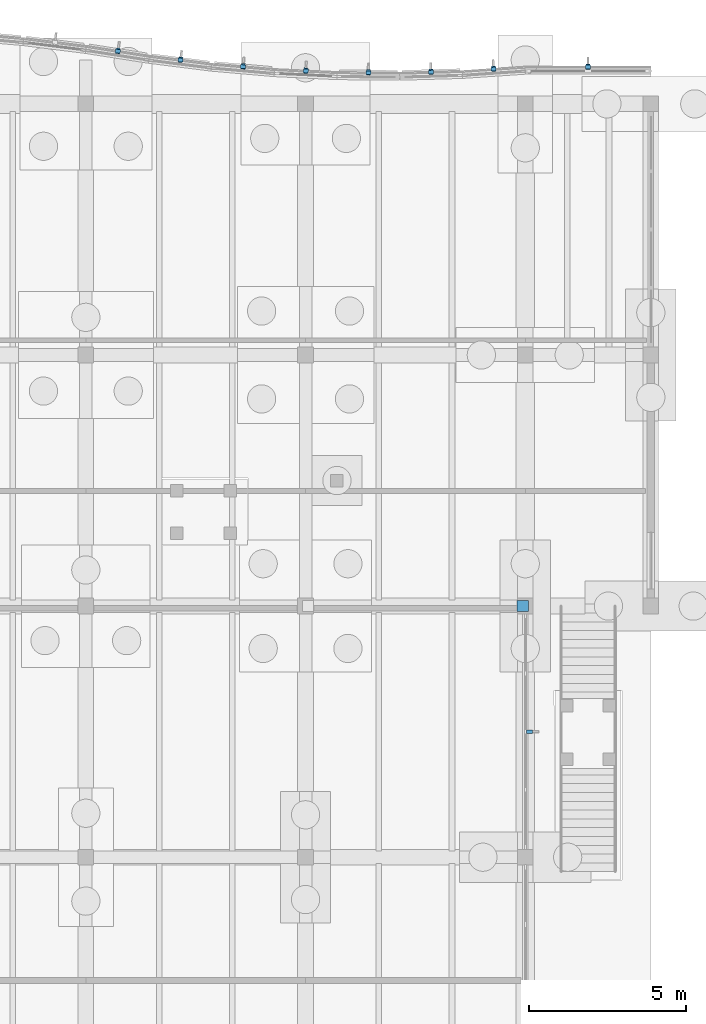
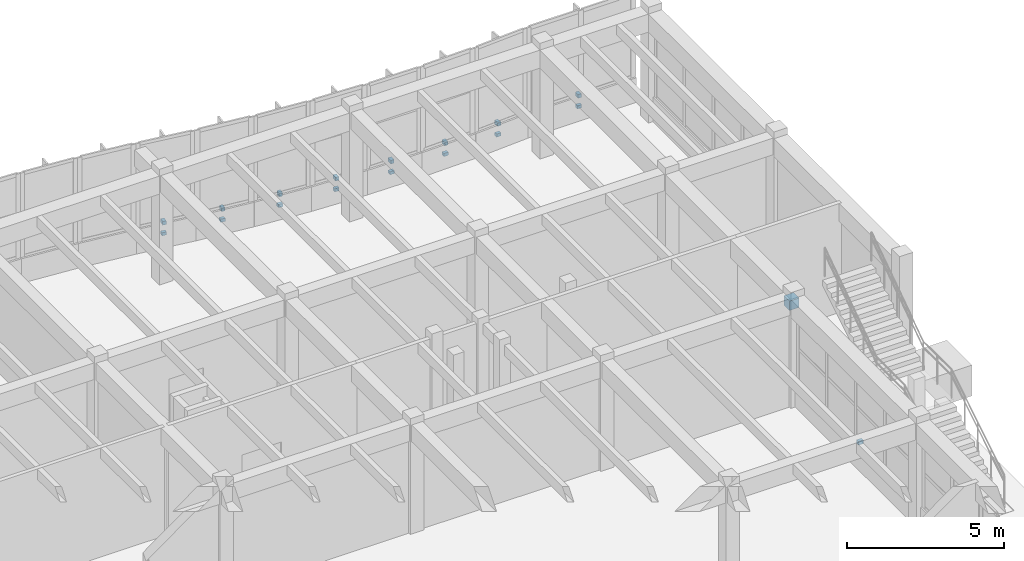
# One storey, part 85 of 99: 18 discrete accessories.
"""IFC4 building model written with IfcOpenShell, lengths in metres."""

from ifc_helpers import new_model, si_unit, direction, frame, origin, origin_2d, place, context, subcontext, project, spatial, rectangle, extrude, material, type_object, element, save


model = new_model("IFC4")

# Units and contexts
model_context = context("Model", 3, precision=1e-05, world=origin(), true_north=direction((0.0, 1.0)))
body_context = subcontext(model_context, "Body", "Model", "MODEL_VIEW")
ifc_project = project(units=[si_unit("LENGTHUNIT", "METRE"), si_unit("AREAUNIT", "SQUARE_METRE"), si_unit("VOLUMEUNIT", "CUBIC_METRE"), si_unit("PLANEANGLEUNIT", "RADIAN"), si_unit("MASSUNIT", "GRAM", prefix="KILO")], contexts=[model_context])

# Site, building, storey
site_placement = place(None, origin())
site = spatial("IfcSite", under=ifc_project, at=site_placement, CompositionType="ELEMENT")
building_placement = place(site_placement, origin())
building = spatial("IfcBuilding", under=site, at=building_placement, Name="Tonlespit Floodbar School", CompositionType="ELEMENT")
storey_placement = place(building_placement, origin())
storey = spatial("IfcBuildingStorey", under=building, at=storey_placement, Name="L00", CompositionType="ELEMENT", Elevation=0.0)

# Discrete accessories
ifc_material_1 = material(Name="Galvanised Steel", Category="steel")
discrete_accessory_type_1 = type_object("IfcDiscreteAccessoryType", Name="Bracket_Facade_S355", PredefinedType="BRACKET", material=ifc_material_1)
discrete_accessory_1_placement = place(storey_placement, frame((163.02001953125, 121.678466796875, 0.35498046875), z_axis=(0.0, 0.0, 1.0), x_axis=(0.988094768361, -0.153846445322, 0.0)))
element("IfcDiscreteAccessory", 1, at=discrete_accessory_1_placement, inside=storey, type_object=discrete_accessory_type_1, Name="L00 white band support bracket 0612", PredefinedType="BRACKET", context=body_context, shape_type="SweptSolid", body=[
    extrude(rectangle(XDim=0.159912109375, YDim=0.1201171875, at=origin_2d()), origin(), (0.0, 0.0, 1.0), 0.1201171875),
])
discrete_accessory_2_placement = place(storey_placement, frame((163.021484375, 121.688232421875, 0.7802734375), z_axis=(0.0, 0.0, 1.0), x_axis=(0.988094768361, -0.153846445322, 0.0)))
element("IfcDiscreteAccessory", 2, at=discrete_accessory_2_placement, inside=storey, type_object=discrete_accessory_type_1, Name="Solar fin support bracket 215", PredefinedType="BRACKET", context=body_context, shape_type="SweptSolid", body=[
    extrude(rectangle(XDim=0.1201171875, YDim=0.179931640625, at=origin_2d()), origin(), (0.0, 0.0, 1.0), 0.139892578125),
])
discrete_accessory_3_placement = place(storey_placement, frame((165.016357421875, 121.397216796875, 0.35498046875), z_axis=(0.0, 0.0, 1.0), x_axis=(0.99215533612, -0.125011155539, 0.0)))
element("IfcDiscreteAccessory", 3, at=discrete_accessory_3_placement, inside=storey, type_object=discrete_accessory_type_1, Name="L00 white band support bracket 0613", PredefinedType="BRACKET", context=body_context, shape_type="SweptSolid", body=[
    extrude(rectangle(XDim=0.159912109375, YDim=0.1201171875, at=origin_2d()), origin(), (0.0, 0.0, 1.0), 0.1201171875),
])
discrete_accessory_4_placement = place(storey_placement, frame((165.017578125, 121.4072265625, 0.7802734375), z_axis=(0.0, 0.0, 1.0), x_axis=(0.99215533612, -0.125011155539, 0.0)))
element("IfcDiscreteAccessory", 4, at=discrete_accessory_4_placement, inside=storey, type_object=discrete_accessory_type_1, Name="Solar fin support bracket 216", PredefinedType="BRACKET", context=body_context, shape_type="SweptSolid", body=[
    extrude(rectangle(XDim=0.1201171875, YDim=0.179931640625, at=origin_2d()), origin(), (0.0, 0.0, 1.0), 0.139892578125),
])
discrete_accessory_5_placement = place(storey_placement, frame((167.01123046875, 121.184814453125, 0.35498046875), z_axis=(0.0, 0.0, 1.0), x_axis=(0.996245486492, -0.086573267488, 0.0)))
element("IfcDiscreteAccessory", 5, at=discrete_accessory_5_placement, inside=storey, type_object=discrete_accessory_type_1, Name="L00 white band support bracket 0614", PredefinedType="BRACKET", context=body_context, shape_type="SweptSolid", body=[
    extrude(rectangle(XDim=0.159912109375, YDim=0.1201171875, at=origin_2d()), origin(), (0.0, 0.0, 1.0), 0.1201171875),
])
discrete_accessory_6_placement = place(storey_placement, frame((167.01220703125, 121.19482421875, 0.7802734375), z_axis=(0.0, 0.0, 1.0), x_axis=(0.996245486492, -0.086573267488, 0.0)))
element("IfcDiscreteAccessory", 6, at=discrete_accessory_6_placement, inside=storey, type_object=discrete_accessory_type_1, Name="Solar fin support bracket 217", PredefinedType="BRACKET", context=body_context, shape_type="SweptSolid", body=[
    extrude(rectangle(XDim=0.1201171875, YDim=0.179931640625, at=origin_2d()), origin(), (0.0, 0.0, 1.0), 0.139892578125),
])
discrete_accessory_7_placement = place(storey_placement, frame((169.00634765625, 121.05029296875, 0.35498046875), z_axis=(0.0, 0.0, 1.0), x_axis=(0.998842769234, -0.048094930587, 0.0)))
element("IfcDiscreteAccessory", 7, at=discrete_accessory_7_placement, inside=storey, type_object=discrete_accessory_type_1, Name="L00 white band support bracket 0615", PredefinedType="BRACKET", context=body_context, shape_type="SweptSolid", body=[
    extrude(rectangle(XDim=0.159912109375, YDim=0.1201171875, at=origin_2d()), origin(), (0.0, 0.0, 1.0), 0.1201171875),
])
discrete_accessory_8_placement = place(storey_placement, frame((169.006591796875, 121.060302734375, 0.7802734375), z_axis=(0.0, 0.0, 1.0), x_axis=(0.998842769234, -0.048094930587, 0.0)))
element("IfcDiscreteAccessory", 8, at=discrete_accessory_8_placement, inside=storey, type_object=discrete_accessory_type_1, Name="Solar fin support bracket 218", PredefinedType="BRACKET", context=body_context, shape_type="SweptSolid", body=[
    extrude(rectangle(XDim=0.1201171875, YDim=0.179931640625, at=origin_2d()), origin(), (0.0, 0.0, 1.0), 0.139892578125),
])
discrete_accessory_9_placement = place(storey_placement, frame((171.001220703125, 120.99267578125, 0.35498046875), z_axis=(0.0, 0.0, 1.0), x_axis=(0.999953926969, -0.009599163462, 0.0)))
element("IfcDiscreteAccessory", 9, at=discrete_accessory_9_placement, inside=storey, type_object=discrete_accessory_type_1, Name="L00 white band support bracket 0616", PredefinedType="BRACKET", context=body_context, shape_type="SweptSolid", body=[
    extrude(rectangle(XDim=0.159912109375, YDim=0.1201171875, at=origin_2d()), origin(), (0.0, 0.0, 1.0), 0.1201171875),
])
discrete_accessory_10_placement = place(storey_placement, frame((171.001220703125, 121.002685546875, 0.7802734375), z_axis=(0.0, 0.0, 1.0), x_axis=(0.999953926969, -0.009599163462, 0.0)))
element("IfcDiscreteAccessory", 10, at=discrete_accessory_10_placement, inside=storey, type_object=discrete_accessory_type_1, Name="Solar fin support bracket 219", PredefinedType="BRACKET", context=body_context, shape_type="SweptSolid", body=[
    extrude(rectangle(XDim=0.1201171875, YDim=0.179931640625, at=origin_2d()), origin(), (0.0, 0.0, 1.0), 0.139892578125),
])
discrete_accessory_11_placement = place(storey_placement, frame((172.996337890625, 121.01171875, 0.35498046875), z_axis=(0.0, 0.0, 1.0), x_axis=(0.999584110869, 0.02883756748, 0.0)))
element("IfcDiscreteAccessory", 11, at=discrete_accessory_11_placement, inside=storey, type_object=discrete_accessory_type_1, Name="L00 white band support bracket 0617", PredefinedType="BRACKET", context=body_context, shape_type="SweptSolid", body=[
    extrude(rectangle(XDim=0.159912109375, YDim=0.1201171875, at=origin_2d()), origin(), (0.0, 0.0, 1.0), 0.1201171875),
])
discrete_accessory_12_placement = place(storey_placement, frame((172.99609375, 121.021728515625, 0.7802734375), z_axis=(0.0, 0.0, 1.0), x_axis=(0.999584110869, 0.02883756748, 0.0)))
element("IfcDiscreteAccessory", 12, at=discrete_accessory_12_placement, inside=storey, type_object=discrete_accessory_type_1, Name="Solar fin support bracket 220", PredefinedType="BRACKET", context=body_context, shape_type="SweptSolid", body=[
    extrude(rectangle(XDim=0.1201171875, YDim=0.179931640625, at=origin_2d()), origin(), (0.0, 0.0, 1.0), 0.139892578125),
])
discrete_accessory_13_placement = place(storey_placement, frame((174.9912109375, 121.10791015625, 0.35498046875), z_axis=(0.0, 0.0, 1.0), x_axis=(0.997729639049, 0.067346621018, 0.0)))
element("IfcDiscreteAccessory", 13, at=discrete_accessory_13_placement, inside=storey, type_object=discrete_accessory_type_1, Name="L00 white band support bracket 0618", PredefinedType="BRACKET", context=body_context, shape_type="SweptSolid", body=[
    extrude(rectangle(XDim=0.159912109375, YDim=0.1201171875, at=origin_2d()), origin(), (0.0, 0.0, 1.0), 0.1201171875),
])
discrete_accessory_14_placement = place(storey_placement, frame((174.990478515625, 121.117919921875, 0.7802734375), z_axis=(0.0, 0.0, 1.0), x_axis=(0.997729639049, 0.067346621018, 0.0)))
element("IfcDiscreteAccessory", 14, at=discrete_accessory_14_placement, inside=storey, type_object=discrete_accessory_type_1, Name="Solar fin support bracket 221", PredefinedType="BRACKET", context=body_context, shape_type="SweptSolid", body=[
    extrude(rectangle(XDim=0.1201171875, YDim=0.179931640625, at=origin_2d()), origin(), (0.0, 0.0, 1.0), 0.139892578125),
])
discrete_accessory_15_placement = place(storey_placement, frame((178.0, 121.17578125, 0.35498046875), z_axis=(0.0, 0.0, 1.0), x_axis=(1.0, 0.0, 0.0)))
element("IfcDiscreteAccessory", 15, at=discrete_accessory_15_placement, inside=storey, type_object=discrete_accessory_type_1, Name="L00 white band support bracket 0619", PredefinedType="BRACKET", context=body_context, shape_type="SweptSolid", body=[
    extrude(rectangle(XDim=0.159912109375, YDim=0.1201171875, at=origin_2d()), origin(), (0.0, 0.0, 1.0), 0.1201171875),
])
for number, where, z_axis, x_axis, name in (
    (16, (178.0, 121.185791015625, 0.7802734375), (0.0, 0.0, 1.0), (1.0, 0.0, 0.0), "Solar fin support bracket 222"),
    (17, (176.132568359375, 100.0, 0.7802734375), (0.0, 0.0, 1.0), (0.0, -1.0, 0.0), "Solar fin support bracket 226"),
):
    element("IfcDiscreteAccessory", number, at=place(storey_placement, frame(where, z_axis=z_axis, x_axis=x_axis)), inside=storey, type_object=discrete_accessory_type_1, Name=name, PredefinedType="BRACKET", context=body_context, shape_type="SweptSolid", body=[
        extrude(rectangle(XDim=0.1201171875, YDim=0.179931640625, at=origin_2d()), origin(), (0.0, 0.0, 1.0), 0.139892578125),
    ])
ifc_material_2 = material(Name="Steel S355", Category="steel")
discrete_accessory_type_2 = type_object("IfcDiscreteAccessoryType", Name="GussetShoe_Brace_S355", PredefinedType="SHOE", material=ifc_material_2)
discrete_accessory_16_placement = place(storey_placement, frame((175.919921875, 104.0, 3.77001953125), z_axis=(0.0, 0.0, 1.0), x_axis=(1.0, 0.0, 0.0)))
element("IfcDiscreteAccessory", 18, at=discrete_accessory_16_placement, inside=storey, type_object=discrete_accessory_type_2, Name="L00 brace and chord end gusset shoe 0040", PredefinedType="SHOE", context=body_context, shape_type="SweptSolid", body=[
    extrude(rectangle(XDim=0.360107421875, YDim=0.360107421875, at=origin_2d()), origin(), (0.0, 0.0, 1.0), 0.360107421875),
])

save(model, "model.ifc")
